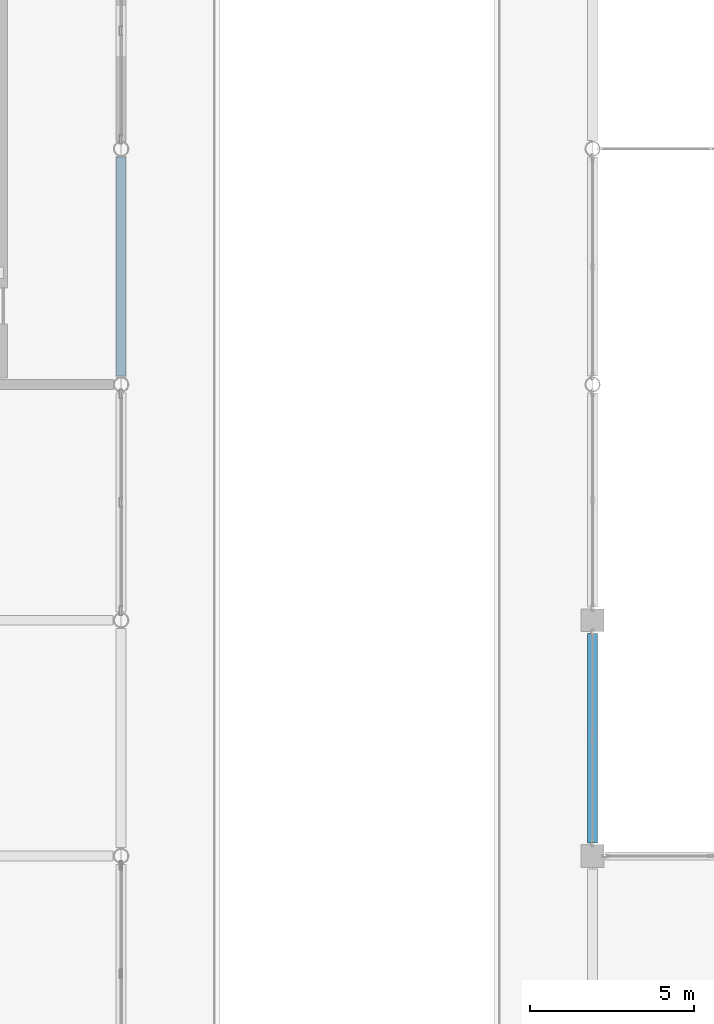
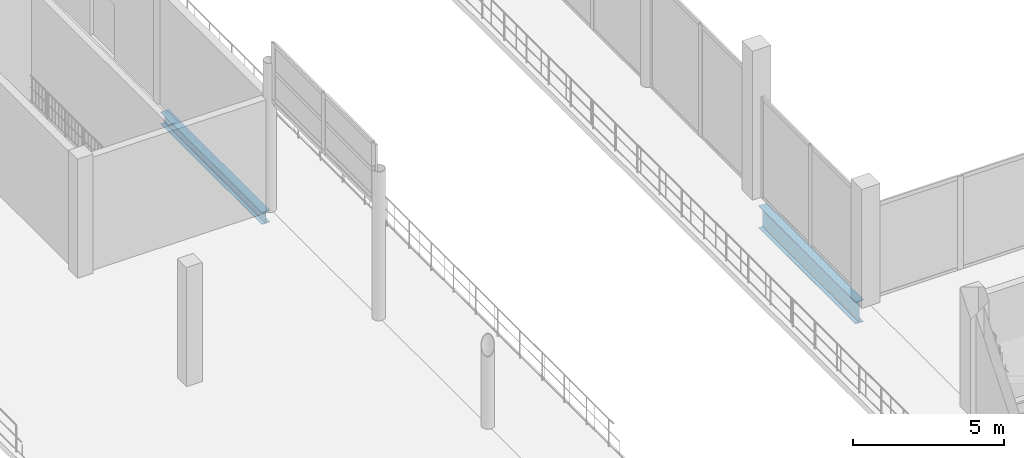
# One storey, part 39 of 120: 2 beams.
"""IFC4 building model written with IfcOpenShell, lengths in metres."""

from ifc_helpers import new_model, si_unit, direction, frame, origin, origin_2d, place, context, subcontext, project, spatial, i_section, extrude, material, material_profile, profile_set, type_object, element, save


model = new_model("IFC4")

# Units and contexts
model_context = context("Model", 3, precision=1e-05, world=origin(), true_north=direction((0.0, 1.0)))
body_context = subcontext(model_context, "Body", "Model", "MODEL_VIEW")
ifc_project = project(units=[si_unit("LENGTHUNIT", "METRE"), si_unit("AREAUNIT", "SQUARE_METRE"), si_unit("VOLUMEUNIT", "CUBIC_METRE"), si_unit("PLANEANGLEUNIT", "RADIAN"), si_unit("MASSUNIT", "GRAM", prefix="KILO")], contexts=[model_context])

# Site, building, storey
site_placement = place(None, origin())
site = spatial("IfcSite", under=ifc_project, at=site_placement, CompositionType="ELEMENT")
building_placement = place(site_placement, origin())
building = spatial("IfcBuilding", under=site, at=building_placement, Name="Vesperath Aquatics Centre", CompositionType="ELEMENT")
storey_placement = place(building_placement, frame((0.0, 0.0, 10.199951171875)))
storey = spatial("IfcBuildingStorey", under=building, at=storey_placement, Name="L02", CompositionType="ELEMENT", Elevation=10.199951171875)

# Beams
ifc_material_1 = material(Name="Steel Q355D", Category="steel")
ifc_material_profile_1 = material_profile(ifc_material_1, i_section(OverallWidth=0.300048828125, OverallDepth=0.89990234375, WebThickness=0.01611328125, FlangeThickness=0.028076171875, FilletRadius=0.028076171875, at=origin_2d()), Name="HN 900x300x16x28")
ifc_profile_set_1 = profile_set([ifc_material_profile_1], Name="Steel Q355D")
beam_type_1 = type_object("IfcBeamType", Name="BM-G06", PredefinedType="BEAM", material=ifc_profile_set_1)
beam_1_placement = place(storey_placement, frame((115.199951171875, 43.60009765625, -0.7099609375), z_axis=(0.0, 1.0, 0.0), x_axis=(-1.0, 0.0, 0.0)))
element("IfcBeam", 1, at=beam_1_placement, inside=storey, type_object=beam_type_1, Name="Floor Girder B06 L02 17 G-H", PredefinedType="BEAM", context=body_context, shape_type="SweptSolid", body=[
    extrude(i_section(OverallWidth=0.300048828125, OverallDepth=0.89990234375, WebThickness=0.01611328125, FlangeThickness=0.028076171875, FilletRadius=0.028076171875, at=origin_2d()), origin(), (0.0, 0.0, 1.0), 6.39990234375),
])
ifc_material_2 = material(Name="Steel Q355C", Category="steel")
ifc_material_profile_2 = material_profile(ifc_material_2, i_section(OverallWidth=0.300048828125, OverallDepth=0.488037109375, WebThickness=0.010986328125, FlangeThickness=0.01806640625, FilletRadius=0.02587890625, at=origin_2d()), Name="HM 488x300x11x18")
ifc_profile_set_2 = profile_set([ifc_material_profile_2], Name="Steel Q355C")
beam_type_2 = type_object("IfcBeamType", Name="BM-G10", PredefinedType="BEAM", material=ifc_profile_set_2)
beam_2_placement = place(storey_placement, frame((100.800048828125, 57.85400390625, -0.50390625), z_axis=(0.0, 1.0, 0.0), x_axis=(-1.0, 0.0, 0.0)))
element("IfcBeam", 2, at=beam_2_placement, inside=storey, type_object=beam_type_2, Name="Floor Girder B10 L02 15 J-K", PredefinedType="BEAM", context=body_context, shape_type="SweptSolid", body=[
    extrude(i_section(OverallWidth=0.300048828125, OverallDepth=0.488037109375, WebThickness=0.010986328125, FlangeThickness=0.01806640625, FilletRadius=0.02587890625, at=origin_2d()), origin(), (0.0, 0.0, 1.0), 6.69189453125),
])

save(model, "model.ifc")
